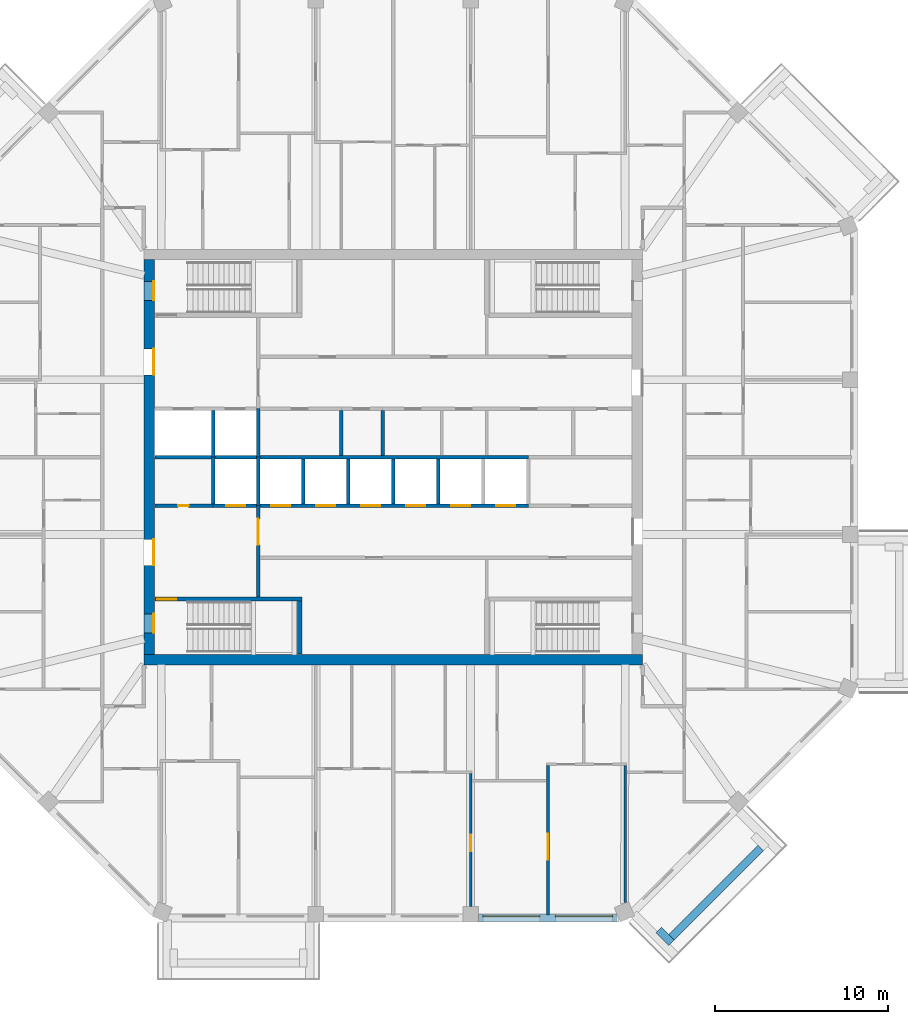
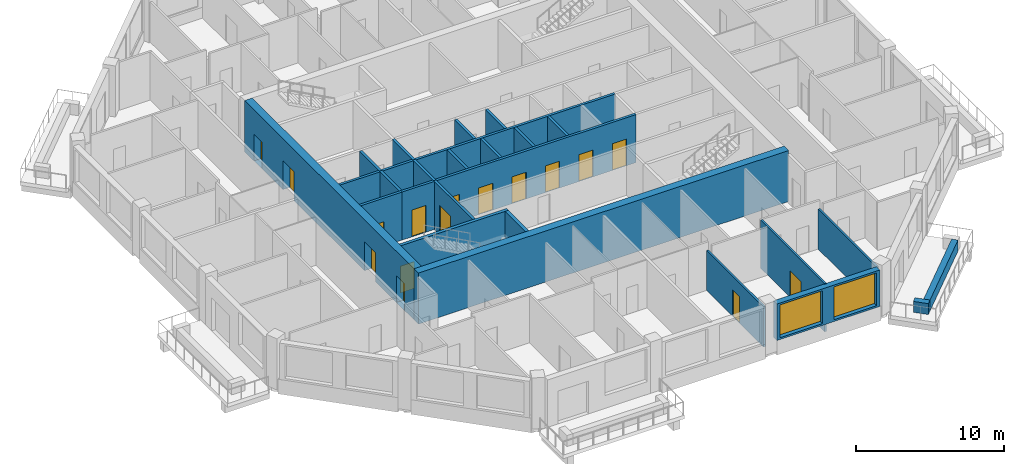
# One storey, part 4 of 11: 24 walls, 16 doors, 2 windows, 18 openings.
"""IFC4 building model written with IfcOpenShell, lengths in metres."""

from ifc_helpers import new_model, si_unit, direction, frame, frame_2d, origin, place, context, subcontext, project, spatial, rectangle, extrude, material, layer, layer_set, type_object, element, fill, save


model = new_model("IFC4")

# Units and contexts
model_context = context("Model", 3, precision=1e-05, world=origin(), true_north=direction((0.0, 1.0)))
body_context = subcontext(model_context, "Body", "Model", "MODEL_VIEW")
ifc_project = project(units=[si_unit("LENGTHUNIT", "METRE"), si_unit("AREAUNIT", "SQUARE_METRE"), si_unit("VOLUMEUNIT", "CUBIC_METRE"), si_unit("PLANEANGLEUNIT", "RADIAN"), si_unit("MASSUNIT", "GRAM", prefix="KILO")], contexts=[model_context])

# Site, building, storey
site_placement = place(None, origin())
site = spatial("IfcSite", under=ifc_project, at=site_placement, CompositionType="ELEMENT")
building_placement = place(site_placement, origin())
building = spatial("IfcBuilding", under=site, at=building_placement, Name="Msitu Wima Residences", CompositionType="ELEMENT")
storey_placement = place(building_placement, frame((0.0, 0.0, 226.5)))
storey = spatial("IfcBuildingStorey", under=building, at=storey_placement, Name="L52", CompositionType="ELEMENT", Elevation=226.5)

# Walls
ifc_material_1 = material(Name="Facing brick")
ifc_layer_1 = layer(ifc_material_1, 0.06494140625, Name="Facing brick")
ifc_material_2 = material(Name="Concrete C40/50", Category="concrete")
ifc_layer_2 = layer(ifc_material_2, 0.156005859375, Name="Concrete C40/50")
ifc_material_3 = material(Name="Waterproofing membrane")
ifc_layer_3 = layer(ifc_material_3, 0.00390625, Name="Waterproofing membrane")
ifc_material_4 = material(Name="Planting soil and planting")
ifc_layer_4 = layer(ifc_material_4, 0.22509765625, Name="Planting soil and planting")
ifc_layer_set_1 = layer_set([ifc_layer_1, ifc_layer_2, ifc_layer_3, ifc_layer_4], Name="Concrete C40/50")
wall_type_1 = type_object("IfcWallType", Name="Balcony planter PLANTER PL450", PredefinedType="USERDEFINED", material=ifc_layer_set_1)
wall_1_placement = place(storey_placement, frame((16.0751953125, -27.725830078125, 0.0), z_axis=(0.0, 0.0, 1.0), x_axis=(0.707106781187, 0.707106781187, 0.0)))
element("IfcWall", 1, at=wall_1_placement, inside=storey, type_object=wall_type_1, Name="Balcony planter SE0 L52", ObjectType="PLANTER", PredefinedType="USERDEFINED", context=body_context, shape_type="SweptSolid", body=[
    extrude(rectangle(XDim=7.288330078125, YDim=0.449951171875, at=frame_2d((3.64404296875, 0.0))), origin(), (0.0, 0.0, 1.0), 0.89990234375),
])
wall_2_placement = place(storey_placement, frame((15.332763671875, -27.301513671875, 0.0), z_axis=(0.0, 0.0, 1.0), x_axis=(0.707106781187, -0.707106781187, 0.0)))
element("IfcWall", 2, at=wall_2_placement, inside=storey, type_object=wall_type_1, Name="Balcony planter SE0 L52", ObjectType="PLANTER", PredefinedType="USERDEFINED", context=body_context, shape_type="SweptSolid", body=[
    extrude(rectangle(XDim=1.050048828125, YDim=0.449951171875, at=frame_2d((0.52490234375, 0.0))), origin(), (0.0, 0.0, 1.0), 0.89990234375),
])

# Wall, openings, windows
ifc_material_5 = material(Name="Brick (red buff mix)", Category="masonry")
ifc_layer_5 = layer(ifc_material_5, 0.449951171875)
ifc_layer_set_2 = layer_set([ifc_layer_5], Name="Brick (red buff mix)")
wall_type_2 = type_object("IfcWallType", Name="Brick infill wall BW450", PredefinedType="SOLIDWALL", material=ifc_layer_set_2)
wall_3_placement = place(storey_placement, frame((4.918701171875, -26.625, 0.89990234375), z_axis=(0.0, 0.0, 1.0), x_axis=(1.0, 0.0, 0.0)))
wall_3 = element("IfcWall", 3, at=wall_3_placement, inside=storey, type_object=wall_type_2, Name="Brick infill wall L52 S2", PredefinedType="SOLIDWALL", context=body_context, shape_type="SweptSolid", body=[
    extrude(rectangle(XDim=8.0, YDim=0.449951171875, at=frame_2d((4.0, 0.0))), origin(), (0.0, 0.0, 1.0), 3.0),
])
opening_1_placement = place(wall_3_placement, frame((0.25, 0.0, 0.14990234375)))
opening_1 = element("IfcOpeningElement", 4, at=opening_1_placement, cuts=wall_3, Name="Opening W52-54.020", PredefinedType="OPENING", context=body_context, shape_type="SweptSolid", body=[
    extrude(rectangle(XDim=3.300048828125, YDim=2.699951171875, at=frame_2d((1.64990234375, 1.35009765625))), frame((0.0, 0.23486328125, 0.0), z_axis=(0.0, -1.0, 0.0), x_axis=(1.0, 0.0, 0.0)), (0.0, 0.0, 1.0), 0.469970703125),
])
opening_2_placement = place(wall_3_placement, frame((4.4501953125, 0.0, 0.14990234375)))
opening_2 = element("IfcOpeningElement", 5, at=opening_2_placement, cuts=wall_3, Name="Opening W52-54.021", PredefinedType="OPENING", context=body_context, shape_type="SweptSolid", body=[
    extrude(rectangle(XDim=3.300048828125, YDim=2.699951171875, at=frame_2d((1.64990234375, 1.35009765625))), frame((0.0, 0.23486328125, 0.0), z_axis=(0.0, -1.0, 0.0), x_axis=(1.0, 0.0, 0.0)), (0.0, 0.0, 1.0), 0.469970703125),
])
ifc_material_6 = material(Name="Anodised aluminium, bronze finish, clear low-emissivity double glazing", Category="aluminium")
window_type = type_object("IfcWindowType", Name="Window W3300x2700", PartitioningType="DOUBLE_PANEL_VERTICAL", PredefinedType="WINDOW", material=ifc_material_6)
window_1_placement = place(opening_1_placement, origin())
window_1 = element("IfcWindow", 6, at=window_1_placement, inside=storey, type_object=window_type, Name="Window L52 S2.1", OverallHeight=2.699951171875, OverallWidth=3.300048828125, PartitioningType="SINGLE_PANEL", PredefinedType="WINDOW", context=body_context, shape_type="SweptSolid", body=[
    extrude(rectangle(XDim=3.300048828125, YDim=2.699951171875, at=frame_2d((1.64990234375, 1.35009765625))), frame((0.0, 0.135009765625, 0.0), z_axis=(0.0, -1.0, 0.0), x_axis=(1.0, 0.0, 0.0)), (0.0, 0.0, 1.0), 0.06005859375),
])
fill(opening_1, window_1)
window_2_placement = place(opening_2_placement, origin())
window_2 = element("IfcWindow", 7, at=window_2_placement, inside=storey, type_object=window_type, Name="Window L52 S2.2", OverallHeight=2.699951171875, OverallWidth=3.300048828125, PartitioningType="SINGLE_PANEL", PredefinedType="WINDOW", context=body_context, shape_type="SweptSolid", body=[
    extrude(rectangle(XDim=3.300048828125, YDim=2.699951171875, at=frame_2d((1.64990234375, 1.35009765625))), frame((0.0, 0.135009765625, 0.0), z_axis=(0.0, -1.0, 0.0), x_axis=(1.0, 0.0, 0.0)), (0.0, 0.0, 1.0), 0.06005859375),
])
fill(opening_2, window_2)

# Wall
ifc_material_7 = material(Name="Concrete C50/60", Category="concrete")
ifc_layer_6 = layer(ifc_material_7, 0.60009765625)
ifc_layer_set_3 = layer_set([ifc_layer_6], Name="Concrete C50/60")
wall_type_3 = type_object("IfcWallType", Name="Core wall CW600 C50/60", PredefinedType="SHEAR", material=ifc_layer_set_3)
wall_4_placement = place(storey_placement, frame((-14.39990234375, -11.699951171875, 0.0), z_axis=(0.0, 0.0, 1.0), x_axis=(1.0, 0.0, 0.0)))
element("IfcWall", 8, at=wall_4_placement, inside=storey, type_object=wall_type_3, Name="Core wall", PredefinedType="SHEAR", context=body_context, shape_type="SweptSolid", body=[
    extrude(rectangle(XDim=28.7998046875, YDim=0.60009765625, at=frame_2d((14.39990234375, 0.0))), origin(), (0.0, 0.0, 1.0), 4.199951171875),
])

# Wall, openings, doors
wall_5_placement = place(storey_placement, frame((-14.10009765625, -11.39990234375, 0.0), z_axis=(0.0, 0.0, 1.0), x_axis=(0.0, 1.0, 0.0)))
wall_5 = element("IfcWall", 9, at=wall_5_placement, inside=storey, type_object=wall_type_3, Name="Core wall", PredefinedType="SHEAR", context=body_context, shape_type="SweptSolid", body=[
    extrude(rectangle(XDim=22.7998046875, YDim=0.60009765625, at=frame_2d((11.39990234375, 0.0))), origin(), (0.0, 0.0, 1.0), 4.199951171875),
])
opening_3_placement = place(wall_5_placement, frame((20.449951171875, 0.0, 0.0)))
opening_3 = element("IfcOpeningElement", 10, at=opening_3_placement, cuts=wall_5, Name="Opening D52-54.085", PredefinedType="OPENING", context=body_context, shape_type="SweptSolid", body=[
    extrude(rectangle(XDim=1.10009765625, YDim=2.199951171875, at=frame_2d((0.550048828125, 1.10009765625))), frame((0.0, 0.31005859375, 0.0), z_axis=(0.0, -1.0, 0.0), x_axis=(1.0, 0.0, 0.0)), (0.0, 0.0, 1.0), 0.6201171875),
])
opening_4_placement = place(wall_5_placement, frame((1.25, 0.0, 0.0)))
opening_4 = element("IfcOpeningElement", 11, at=opening_4_placement, cuts=wall_5, Name="Opening D52-54.087", PredefinedType="OPENING", context=body_context, shape_type="SweptSolid", body=[
    extrude(rectangle(XDim=1.10009765625, YDim=2.199951171875, at=frame_2d((0.550048828125, 1.10009765625))), frame((0.0, 0.31005859375, 0.0), z_axis=(0.0, -1.0, 0.0), x_axis=(1.0, 0.0, 0.0)), (0.0, 0.0, 1.0), 0.6201171875),
])
opening_5_placement = place(wall_5_placement, frame((16.14990234375, 0.0, 0.0)))
opening_5 = element("IfcOpeningElement", 12, at=opening_5_placement, cuts=wall_5, Name="Opening D52-54.067", PredefinedType="OPENING", context=body_context, shape_type="SweptSolid", body=[
    extrude(rectangle(XDim=1.5, YDim=2.39990234375, at=frame_2d((0.75, 1.199951171875))), frame((0.0, 0.31005859375, 0.0), z_axis=(0.0, -1.0, 0.0), x_axis=(1.0, 0.0, 0.0)), (0.0, 0.0, 1.0), 0.6201171875),
])
opening_6_placement = place(wall_5_placement, frame((5.14990234375, 0.0, 0.0)))
opening_6 = element("IfcOpeningElement", 13, at=opening_6_placement, cuts=wall_5, Name="Opening D52-54.069", PredefinedType="OPENING", context=body_context, shape_type="SweptSolid", body=[
    extrude(rectangle(XDim=1.5, YDim=2.39990234375, at=frame_2d((0.75, 1.199951171875))), frame((0.0, 0.31005859375, 0.0), z_axis=(0.0, -1.0, 0.0), x_axis=(1.0, 0.0, 0.0)), (0.0, 0.0, 1.0), 0.6201171875),
])
ifc_material_8 = material(Name="Steel framed glazed door, fire resisting", Category="steel")
door_type_1 = type_object("IfcDoorType", Name="Lobby door D07 1500x2400", OperationType="DOUBLE_DOOR_SINGLE_SWING", PredefinedType="DOOR", material=ifc_material_8)
door_1_placement = place(opening_5_placement, origin())
door_1 = element("IfcDoor", 14, at=door_1_placement, inside=storey, type_object=door_type_1, Name="Lobby door", OperationType="DOUBLE_DOOR_SINGLE_SWING", OverallHeight=2.39990234375, OverallWidth=1.5, PredefinedType="DOOR", context=body_context, shape_type="SweptSolid", body=[
    extrude(rectangle(XDim=1.5, YDim=2.39990234375, at=frame_2d((0.75, 1.199951171875))), frame((0.0, -0.2451171875, 0.0), z_axis=(0.0, -1.0, 0.0), x_axis=(1.0, 0.0, 0.0)), (0.0, 0.0, 1.0), 0.050048828125),
])
fill(opening_5, door_1)
door_2_placement = place(opening_6_placement, origin())
door_2 = element("IfcDoor", 15, at=door_2_placement, inside=storey, type_object=door_type_1, Name="Lobby door", OperationType="DOUBLE_DOOR_SINGLE_SWING", OverallHeight=2.39990234375, OverallWidth=1.5, PredefinedType="DOOR", context=body_context, shape_type="SweptSolid", body=[
    extrude(rectangle(XDim=1.5, YDim=2.39990234375, at=frame_2d((0.75, 1.199951171875))), frame((0.0, -0.2451171875, 0.0), z_axis=(0.0, -1.0, 0.0), x_axis=(1.0, 0.0, 0.0)), (0.0, 0.0, 1.0), 0.050048828125),
])
fill(opening_6, door_2)
ifc_material_9 = material(Name="Steel door, fire resisting, panic bar", Category="steel")
door_type_2 = type_object("IfcDoorType", Name="Stair door D06 1100x2200", OperationType="SINGLE_SWING_LEFT", PredefinedType="DOOR", material=ifc_material_9)
door_3_placement = place(opening_3_placement, origin())
door_3 = element("IfcDoor", 16, at=door_3_placement, inside=storey, type_object=door_type_2, Name="Stair door", OperationType="SINGLE_SWING_RIGHT", OverallHeight=2.199951171875, OverallWidth=1.10009765625, PredefinedType="DOOR", context=body_context, shape_type="SweptSolid", body=[
    extrude(rectangle(XDim=1.10009765625, YDim=2.199951171875, at=frame_2d((0.550048828125, 1.10009765625))), frame((0.0, -0.2451171875, 0.0), z_axis=(0.0, -1.0, 0.0), x_axis=(1.0, 0.0, 0.0)), (0.0, 0.0, 1.0), 0.050048828125),
])
fill(opening_3, door_3)
door_4_placement = place(opening_4_placement, origin())
door_4 = element("IfcDoor", 17, at=door_4_placement, inside=storey, type_object=door_type_2, Name="Stair door", OperationType="SINGLE_SWING_LEFT", OverallHeight=2.199951171875, OverallWidth=1.10009765625, PredefinedType="DOOR", context=body_context, shape_type="SweptSolid", body=[
    extrude(rectangle(XDim=1.10009765625, YDim=2.199951171875, at=frame_2d((0.550048828125, 1.10009765625))), frame((0.0, -0.2451171875, 0.0), z_axis=(0.0, -1.0, 0.0), x_axis=(1.0, 0.0, 0.0)), (0.0, 0.0, 1.0), 0.050048828125),
])
fill(opening_4, door_4)

# Wall, opening, door
ifc_material_10 = material(Name="Plaster")
ifc_layer_7 = layer(ifc_material_10, 0.011962890625, Name="Plaster")
ifc_material_11 = material(Name="Concrete blockwork", Category="masonry")
ifc_layer_8 = layer(ifc_material_11, 0.176025390625, Name="Concrete blockwork")
ifc_layer_9 = layer(ifc_material_10, 0.011962890625, Name="Plaster")
ifc_layer_set_4 = layer_set([ifc_layer_7, ifc_layer_8, ifc_layer_9], Name="Concrete blockwork")
wall_type_4 = type_object("IfcWallType", Name="Corridor wall FW200", PredefinedType="PARTITIONING", material=ifc_layer_set_4)
wall_6_placement = place(storey_placement, frame((-7.800048828125, -8.074951171875, 0.0), z_axis=(0.0, 0.0, 1.0), x_axis=(0.0, 1.0, 0.0)))
wall_6 = element("IfcWall", 18, at=wall_6_placement, inside=storey, type_object=wall_type_4, Name="Corridor wall", PredefinedType="PARTITIONING", context=body_context, shape_type="SweptSolid", body=[
    extrude(rectangle(XDim=5.27490234375, YDim=0.199951171875, at=frame_2d((2.637451171875, 0.0))), origin(), (0.0, 0.0, 1.0), 3.949951171875),
])
opening_7_placement = place(wall_6_placement, frame((3.0, 0.0, 0.0)))
opening_7 = element("IfcOpeningElement", 19, at=opening_7_placement, cuts=wall_6, Name="Opening D52-54.070", PredefinedType="OPENING", context=body_context, shape_type="SweptSolid", body=[
    extrude(rectangle(XDim=1.5, YDim=2.39990234375, at=frame_2d((0.75, 1.199951171875))), frame((0.0, 0.10986328125, 0.0), z_axis=(0.0, -1.0, 0.0), x_axis=(1.0, 0.0, 0.0)), (0.0, 0.0, 1.0), 0.219970703125),
])
door_5_placement = place(opening_7_placement, origin())
door_5 = element("IfcDoor", 20, at=door_5_placement, inside=storey, type_object=door_type_1, Name="Lobby door", OperationType="DOUBLE_DOOR_SINGLE_SWING", OverallHeight=2.39990234375, OverallWidth=1.5, PredefinedType="DOOR", context=body_context, shape_type="SweptSolid", body=[
    extrude(rectangle(XDim=1.5, YDim=2.39990234375, at=frame_2d((0.75, 1.199951171875))), frame((0.0, 0.02490234375, 0.0), z_axis=(0.0, -1.0, 0.0), x_axis=(1.0, 0.0, 0.0)), (0.0, 0.0, 1.0), 0.050048828125),
])
fill(opening_7, door_5)

ifc_layer_10 = layer(ifc_material_10, 0.011962890625, Name="Plaster")
ifc_layer_11 = layer(ifc_material_11, 0.1259765625, Name="Concrete blockwork")
ifc_layer_12 = layer(ifc_material_10, 0.011962890625, Name="Plaster")
ifc_layer_set_5 = layer_set([ifc_layer_10, ifc_layer_11, ifc_layer_12], Name="Concrete blockwork")
wall_type_5 = type_object("IfcWallType", Name="Partition PW150", PredefinedType="PARTITIONING", material=ifc_layer_set_5)
wall_7_placement = place(storey_placement, frame((4.46875, -25.949951171875, 0.0), z_axis=(0.0, 0.0, 1.0), x_axis=(0.0, 1.0, 0.0)))
wall_7 = element("IfcWall", 21, at=wall_7_placement, inside=storey, type_object=wall_type_5, Name="Partition", PredefinedType="PARTITIONING", context=body_context, shape_type="SweptSolid", body=[
    extrude(rectangle(XDim=7.675048828125, YDim=0.14990234375, at=frame_2d((3.83740234375, 0.0))), origin(), (0.0, 0.0, 1.0), 3.300048828125),
])
opening_8_placement = place(wall_7_placement, frame((3.199951171875, 0.0, 0.0)))
opening_8 = element("IfcOpeningElement", 22, at=opening_8_placement, cuts=wall_7, Name="Opening D52-54.054", PredefinedType="OPENING", context=body_context, shape_type="SweptSolid", body=[
    extrude(rectangle(XDim=0.949951171875, YDim=2.199951171875, at=frame_2d((0.47509765625, 1.10009765625))), frame((0.0, 0.0849609375, 0.0), z_axis=(0.0, -1.0, 0.0), x_axis=(1.0, 0.0, 0.0)), (0.0, 0.0, 1.0), 0.169921875),
])
ifc_material_12 = material(Name="Timber flush door", Category="wood")
door_type_3 = type_object("IfcDoorType", Name="Room door D12 950x2200", OperationType="SINGLE_SWING_LEFT", PredefinedType="DOOR", material=ifc_material_12)
door_6_placement = place(opening_8_placement, origin())
door_6 = element("IfcDoor", 23, at=door_6_placement, inside=storey, type_object=door_type_3, Name="Room door", OperationType="SINGLE_SWING_LEFT", OverallHeight=2.199951171875, OverallWidth=0.949951171875, PredefinedType="DOOR", context=body_context, shape_type="SweptSolid", body=[
    extrude(rectangle(XDim=0.949951171875, YDim=2.199951171875, at=frame_2d((0.47509765625, 1.10009765625))), frame((0.0, 0.02490234375, 0.0), z_axis=(0.0, -1.0, 0.0), x_axis=(1.0, 0.0, 0.0)), (0.0, 0.0, 1.0), 0.050048828125),
])
fill(opening_8, door_6)

wall_8_placement = place(storey_placement, frame((8.937255859375, -26.455078125, 0.0), z_axis=(0.0, 0.0, 1.0), x_axis=(0.0, 1.0, 0.0)))
wall_8 = element("IfcWall", 24, at=wall_8_placement, inside=storey, type_object=wall_type_5, Name="Partition", PredefinedType="PARTITIONING", context=body_context, shape_type="SweptSolid", body=[
    extrude(rectangle(XDim=8.630126953125, YDim=0.14990234375, at=frame_2d((4.31494140625, 0.0))), origin(), (0.0, 0.0, 1.0), 3.949951171875),
])
opening_9_placement = place(wall_8_placement, frame((3.199951171875, 0.0, 0.0)))
opening_9 = element("IfcOpeningElement", 25, at=opening_9_placement, cuts=wall_8, Name="Opening D52-54.062", PredefinedType="OPENING", context=body_context, shape_type="SweptSolid", body=[
    extrude(rectangle(XDim=1.5, YDim=2.199951171875, at=frame_2d((0.75, 1.10009765625))), frame((0.0, 0.0849609375, 0.0), z_axis=(0.0, -1.0, 0.0), x_axis=(1.0, 0.0, 0.0)), (0.0, 0.0, 1.0), 0.169921875),
])
ifc_material_13 = material(Name="Timber double door", Category="wood")
door_type_4 = type_object("IfcDoorType", Name="Double door D04 1500x2200", OperationType="DOUBLE_DOOR_SINGLE_SWING", PredefinedType="DOOR", material=ifc_material_13)
door_7_placement = place(opening_9_placement, origin())
door_7 = element("IfcDoor", 26, at=door_7_placement, inside=storey, type_object=door_type_4, Name="Double door", OperationType="DOUBLE_DOOR_SINGLE_SWING", OverallHeight=2.199951171875, OverallWidth=1.5, PredefinedType="DOOR", context=body_context, shape_type="SweptSolid", body=[
    extrude(rectangle(XDim=1.5, YDim=2.199951171875, at=frame_2d((0.75, 1.10009765625))), frame((0.0, 0.02490234375, 0.0), z_axis=(0.0, -1.0, 0.0), x_axis=(1.0, 0.0, 0.0)), (0.0, 0.0, 1.0), 0.050048828125),
])
fill(opening_9, door_7)

# Wall
wall_9_placement = place(storey_placement, frame((13.406005859375, -25.731201171875, 0.0), z_axis=(0.0, 0.0, 1.0), x_axis=(0.0, 1.0, 0.0)))
element("IfcWall", 27, at=wall_9_placement, inside=storey, type_object=wall_type_5, Name="Partition", PredefinedType="PARTITIONING", context=body_context, shape_type="SweptSolid", body=[
    extrude(rectangle(XDim=7.90625, YDim=0.14990234375, at=frame_2d((3.953125, 0.0))), origin(), (0.0, 0.0, 1.0), 3.300048828125),
])

# Wall, opening, door
ifc_layer_13 = layer(ifc_material_10, 0.011962890625, Name="Plaster")
ifc_material_14 = material(Name="Reinforced concrete blockwork", Category="masonry")
ifc_layer_14 = layer(ifc_material_14, 0.176025390625, Name="Reinforced concrete blockwork")
ifc_layer_15 = layer(ifc_material_10, 0.011962890625, Name="Plaster")
ifc_layer_set_6 = layer_set([ifc_layer_13, ifc_layer_14, ifc_layer_15], Name="Reinforced concrete blockwork")
wall_type_6 = type_object("IfcWallType", Name="Plant and riser wall PL200", PredefinedType="PARTITIONING", material=ifc_layer_set_6)
wall_10_placement = place(storey_placement, frame((-13.77001953125, -2.800048828125, 0.0), z_axis=(0.0, 0.0, 1.0), x_axis=(1.0, 0.0, 0.0)))
wall_10 = element("IfcWall", 28, at=wall_10_placement, inside=storey, type_object=wall_type_6, Name="Plant and riser wall", PredefinedType="PARTITIONING", context=body_context, shape_type="SweptSolid", body=[
    extrude(rectangle(XDim=3.3701171875, YDim=0.199951171875, at=frame_2d((1.68505859375, 0.0))), origin(), (0.0, 0.0, 1.0), 3.949951171875),
])
opening_10_placement = place(wall_10_placement, frame((1.35009765625, 0.0, 0.0)))
opening_10 = element("IfcOpeningElement", 29, at=opening_10_placement, cuts=wall_10, Name="Opening D52-54.084", PredefinedType="OPENING", context=body_context, shape_type="SweptSolid", body=[
    extrude(rectangle(XDim=0.60009765625, YDim=2.0, at=frame_2d((0.300048828125, 1.0))), frame((0.0, 0.10986328125, 0.0), z_axis=(0.0, -1.0, 0.0), x_axis=(1.0, 0.0, 0.0)), (0.0, 0.0, 1.0), 0.219970703125),
])
ifc_material_15 = material(Name="Steel access door, fire resisting", Category="steel")
door_type_5 = type_object("IfcDoorType", Name="Riser access door D08 600x2000", OperationType="SINGLE_SWING_LEFT", PredefinedType="DOOR", material=ifc_material_15)
door_8_placement = place(opening_10_placement, origin())
door_8 = element("IfcDoor", 30, at=door_8_placement, inside=storey, type_object=door_type_5, Name="Riser access door", OperationType="SINGLE_SWING_RIGHT", OverallHeight=2.0, OverallWidth=0.60009765625, PredefinedType="DOOR", context=body_context, shape_type="SweptSolid", body=[
    extrude(rectangle(XDim=0.60009765625, YDim=2.0, at=frame_2d((0.300048828125, 1.0))), frame((0.0, 0.02490234375, 0.0), z_axis=(0.0, -1.0, 0.0), x_axis=(1.0, 0.0, 0.0)), (0.0, 0.0, 1.0), 0.050048828125),
])
fill(opening_10, door_8)

# Walls
for number, where, z_axis, x_axis, name in (
    (31, (-3.0, 0.10009765625, 0.0), (0.0, 0.0, 1.0), (0.0, 1.0, 0.0), "Plant and riser wall"),
    (32, (-0.60009765625, 0.10009765625, 0.0), (0.0, 0.0, 1.0), (0.0, 1.0, 0.0), "Plant and riser wall"),
):
    element("IfcWall", number, at=place(storey_placement, frame(where, z_axis=z_axis, x_axis=x_axis)), inside=storey, type_object=wall_type_6, Name=name, PredefinedType="PARTITIONING", context=body_context, shape_type="SweptSolid", body=[
        extrude(rectangle(XDim=2.599853515625, YDim=0.199951171875, at=frame_2d((1.2998046875, 0.0))), origin(), (0.0, 0.0, 1.0), 3.949951171875),
    ])
ifc_material_16 = material(Name="Fire-rated board")
ifc_layer_16 = layer(ifc_material_16, 0.02490234375, Name="Fire-rated board")
ifc_material_17 = material(Name="Light-gauge stud framing with mineral wool")
ifc_layer_17 = layer(ifc_material_17, 0.14990234375, Name="Light-gauge stud framing with mineral wool")
ifc_layer_18 = layer(ifc_material_16, 0.02490234375, Name="Fire-rated board")
ifc_layer_set_7 = layer_set([ifc_layer_16, ifc_layer_17, ifc_layer_18], Name="Light-gauge stud framing with mineral wool")
wall_type_7 = type_object("IfcWallType", Name="Shaft wall SH200", PredefinedType="PARTITIONING", material=ifc_layer_set_7)
wall_11_placement = place(storey_placement, frame((-13.77001953125, 0.0, 0.0), z_axis=(0.0, 0.0, 1.0), x_axis=(1.0, 0.0, 0.0)))
element("IfcWall", 33, at=wall_11_placement, inside=storey, type_object=wall_type_7, Name="Shaft wall", PredefinedType="PARTITIONING", context=body_context, shape_type="SweptSolid", body=[
    extrude(rectangle(XDim=21.570068359375, YDim=0.199951171875, at=frame_2d((10.78515625, 0.0))), origin(), (0.0, 0.0, 1.0), 3.949951171875),
])
wall_12_placement = place(storey_placement, frame((-10.39990234375, -2.699951171875, 0.0), z_axis=(0.0, 0.0, 1.0), x_axis=(0.0, 1.0, 0.0)))
element("IfcWall", 34, at=wall_12_placement, inside=storey, type_object=wall_type_7, Name="Shaft wall", PredefinedType="PARTITIONING", context=body_context, shape_type="SweptSolid", body=[
    extrude(rectangle(XDim=2.699951171875, YDim=0.199951171875, at=frame_2d((1.35009765625, 0.0))), origin(), (0.0, 0.0, 1.0), 3.949951171875),
])

# Wall, openings, doors
wall_13_placement = place(storey_placement, frame((-10.39990234375, -2.800048828125, 0.0), z_axis=(0.0, 0.0, 1.0), x_axis=(1.0, 0.0, 0.0)))
wall_13 = element("IfcWall", 35, at=wall_13_placement, inside=storey, type_object=wall_type_7, Name="Shaft wall", PredefinedType="PARTITIONING", context=body_context, shape_type="SweptSolid", body=[
    extrude(rectangle(XDim=18.199951171875, YDim=0.199951171875, at=frame_2d((9.10009765625, 0.0))), origin(), (0.0, 0.0, 1.0), 3.949951171875),
])
opening_11_placement = place(wall_13_placement, frame((0.75, 0.0, 0.0)))
opening_11 = element("IfcOpeningElement", 36, at=opening_11_placement, cuts=wall_13, Name="Opening LD", PredefinedType="OPENING", context=body_context, shape_type="SweptSolid", body=[
    extrude(rectangle(XDim=1.10009765625, YDim=2.199951171875, at=frame_2d((0.550048828125, 1.10009765625))), frame((0.0, 0.10986328125, 0.0), z_axis=(0.0, -1.0, 0.0), x_axis=(1.0, 0.0, 0.0)), (0.0, 0.0, 1.0), 0.219970703125),
])
opening_12_placement = place(wall_13_placement, frame((3.35009765625, 0.0, 0.0)))
opening_12 = element("IfcOpeningElement", 37, at=opening_12_placement, cuts=wall_13, Name="Opening LD", PredefinedType="OPENING", context=body_context, shape_type="SweptSolid", body=[
    extrude(rectangle(XDim=1.10009765625, YDim=2.199951171875, at=frame_2d((0.550048828125, 1.10009765625))), frame((0.0, 0.10986328125, 0.0), z_axis=(0.0, -1.0, 0.0), x_axis=(1.0, 0.0, 0.0)), (0.0, 0.0, 1.0), 0.219970703125),
])
opening_13_placement = place(wall_13_placement, frame((5.949951171875, 0.0, 0.0)))
opening_13 = element("IfcOpeningElement", 38, at=opening_13_placement, cuts=wall_13, Name="Opening LD", PredefinedType="OPENING", context=body_context, shape_type="SweptSolid", body=[
    extrude(rectangle(XDim=1.10009765625, YDim=2.199951171875, at=frame_2d((0.550048828125, 1.10009765625))), frame((0.0, 0.10986328125, 0.0), z_axis=(0.0, -1.0, 0.0), x_axis=(1.0, 0.0, 0.0)), (0.0, 0.0, 1.0), 0.219970703125),
])
opening_14_placement = place(wall_13_placement, frame((8.550048828125, 0.0, 0.0)))
opening_14 = element("IfcOpeningElement", 39, at=opening_14_placement, cuts=wall_13, Name="Opening LD", PredefinedType="OPENING", context=body_context, shape_type="SweptSolid", body=[
    extrude(rectangle(XDim=1.10009765625, YDim=2.199951171875, at=frame_2d((0.550048828125, 1.10009765625))), frame((0.0, 0.10986328125, 0.0), z_axis=(0.0, -1.0, 0.0), x_axis=(1.0, 0.0, 0.0)), (0.0, 0.0, 1.0), 0.219970703125),
])
opening_15_placement = place(wall_13_placement, frame((11.14990234375, 0.0, 0.0)))
opening_15 = element("IfcOpeningElement", 40, at=opening_15_placement, cuts=wall_13, Name="Opening LD", PredefinedType="OPENING", context=body_context, shape_type="SweptSolid", body=[
    extrude(rectangle(XDim=1.10009765625, YDim=2.199951171875, at=frame_2d((0.550048828125, 1.10009765625))), frame((0.0, 0.10986328125, 0.0), z_axis=(0.0, -1.0, 0.0), x_axis=(1.0, 0.0, 0.0)), (0.0, 0.0, 1.0), 0.219970703125),
])
opening_16_placement = place(wall_13_placement, frame((13.75, 0.0, 0.0)))
opening_16 = element("IfcOpeningElement", 41, at=opening_16_placement, cuts=wall_13, Name="Opening LD", PredefinedType="OPENING", context=body_context, shape_type="SweptSolid", body=[
    extrude(rectangle(XDim=1.10009765625, YDim=2.199951171875, at=frame_2d((0.550048828125, 1.10009765625))), frame((0.0, 0.10986328125, 0.0), z_axis=(0.0, -1.0, 0.0), x_axis=(1.0, 0.0, 0.0)), (0.0, 0.0, 1.0), 0.219970703125),
])
opening_17_placement = place(wall_13_placement, frame((16.35009765625, 0.0, 0.0)))
opening_17 = element("IfcOpeningElement", 42, at=opening_17_placement, cuts=wall_13, Name="Opening LD", PredefinedType="OPENING", context=body_context, shape_type="SweptSolid", body=[
    extrude(rectangle(XDim=1.10009765625, YDim=2.199951171875, at=frame_2d((0.550048828125, 1.10009765625))), frame((0.0, 0.10986328125, 0.0), z_axis=(0.0, -1.0, 0.0), x_axis=(1.0, 0.0, 0.0)), (0.0, 0.0, 1.0), 0.219970703125),
])
ifc_material_18 = material(Name="Stainless steel centre-opening landing door, rated", Category="steel")
door_type_6 = type_object("IfcDoorType", Name="Lift landing door LD 1100x2200", OperationType="DOUBLE_DOOR_SLIDING", PredefinedType="DOOR", material=ifc_material_18)
door_9_placement = place(opening_11_placement, origin())
door_9 = element("IfcDoor", 43, at=door_9_placement, inside=storey, type_object=door_type_6, Name="Lift landing door LD3", OperationType="DOUBLE_DOOR_SLIDING", OverallHeight=2.199951171875, OverallWidth=1.10009765625, PredefinedType="DOOR", context=body_context, shape_type="SweptSolid", body=[
    extrude(rectangle(XDim=1.10009765625, YDim=2.199951171875, at=frame_2d((0.550048828125, 1.10009765625))), frame((0.0, 0.02490234375, 0.0), z_axis=(0.0, -1.0, 0.0), x_axis=(1.0, 0.0, 0.0)), (0.0, 0.0, 1.0), 0.050048828125),
])
fill(opening_11, door_9)
door_10_placement = place(opening_12_placement, origin())
door_10 = element("IfcDoor", 44, at=door_10_placement, inside=storey, type_object=door_type_6, Name="Lift landing door LD5", OperationType="DOUBLE_DOOR_SLIDING", OverallHeight=2.199951171875, OverallWidth=1.10009765625, PredefinedType="DOOR", context=body_context, shape_type="SweptSolid", body=[
    extrude(rectangle(XDim=1.10009765625, YDim=2.199951171875, at=frame_2d((0.550048828125, 1.10009765625))), frame((0.0, 0.02490234375, 0.0), z_axis=(0.0, -1.0, 0.0), x_axis=(1.0, 0.0, 0.0)), (0.0, 0.0, 1.0), 0.050048828125),
])
fill(opening_12, door_10)
door_11_placement = place(opening_13_placement, origin())
door_11 = element("IfcDoor", 45, at=door_11_placement, inside=storey, type_object=door_type_6, Name="Lift landing door LD7", OperationType="DOUBLE_DOOR_SLIDING", OverallHeight=2.199951171875, OverallWidth=1.10009765625, PredefinedType="DOOR", context=body_context, shape_type="SweptSolid", body=[
    extrude(rectangle(XDim=1.10009765625, YDim=2.199951171875, at=frame_2d((0.550048828125, 1.10009765625))), frame((0.0, 0.02490234375, 0.0), z_axis=(0.0, -1.0, 0.0), x_axis=(1.0, 0.0, 0.0)), (0.0, 0.0, 1.0), 0.050048828125),
])
fill(opening_13, door_11)
door_12_placement = place(opening_14_placement, origin())
door_12 = element("IfcDoor", 46, at=door_12_placement, inside=storey, type_object=door_type_6, Name="Lift landing door LD9", OperationType="DOUBLE_DOOR_SLIDING", OverallHeight=2.199951171875, OverallWidth=1.10009765625, PredefinedType="DOOR", context=body_context, shape_type="SweptSolid", body=[
    extrude(rectangle(XDim=1.10009765625, YDim=2.199951171875, at=frame_2d((0.550048828125, 1.10009765625))), frame((0.0, 0.02490234375, 0.0), z_axis=(0.0, -1.0, 0.0), x_axis=(1.0, 0.0, 0.0)), (0.0, 0.0, 1.0), 0.050048828125),
])
fill(opening_14, door_12)
door_13_placement = place(opening_15_placement, origin())
door_13 = element("IfcDoor", 47, at=door_13_placement, inside=storey, type_object=door_type_6, Name="Lift landing door LD11", OperationType="DOUBLE_DOOR_SLIDING", OverallHeight=2.199951171875, OverallWidth=1.10009765625, PredefinedType="DOOR", context=body_context, shape_type="SweptSolid", body=[
    extrude(rectangle(XDim=1.10009765625, YDim=2.199951171875, at=frame_2d((0.550048828125, 1.10009765625))), frame((0.0, 0.02490234375, 0.0), z_axis=(0.0, -1.0, 0.0), x_axis=(1.0, 0.0, 0.0)), (0.0, 0.0, 1.0), 0.050048828125),
])
fill(opening_15, door_13)
door_14_placement = place(opening_16_placement, origin())
door_14 = element("IfcDoor", 48, at=door_14_placement, inside=storey, type_object=door_type_6, Name="Lift landing door LD13", OperationType="DOUBLE_DOOR_SLIDING", OverallHeight=2.199951171875, OverallWidth=1.10009765625, PredefinedType="DOOR", context=body_context, shape_type="SweptSolid", body=[
    extrude(rectangle(XDim=1.10009765625, YDim=2.199951171875, at=frame_2d((0.550048828125, 1.10009765625))), frame((0.0, 0.02490234375, 0.0), z_axis=(0.0, -1.0, 0.0), x_axis=(1.0, 0.0, 0.0)), (0.0, 0.0, 1.0), 0.050048828125),
])
fill(opening_16, door_14)
door_15_placement = place(opening_17_placement, origin())
door_15 = element("IfcDoor", 49, at=door_15_placement, inside=storey, type_object=door_type_6, Name="Lift landing door LD15", OperationType="DOUBLE_DOOR_SLIDING", OverallHeight=2.199951171875, OverallWidth=1.10009765625, PredefinedType="DOOR", context=body_context, shape_type="SweptSolid", body=[
    extrude(rectangle(XDim=1.10009765625, YDim=2.199951171875, at=frame_2d((0.550048828125, 1.10009765625))), frame((0.0, 0.02490234375, 0.0), z_axis=(0.0, -1.0, 0.0), x_axis=(1.0, 0.0, 0.0)), (0.0, 0.0, 1.0), 0.050048828125),
])
fill(opening_17, door_15)

# Walls
wall_14_placement = place(storey_placement, frame((-10.39990234375, 0.0, 0.0), z_axis=(0.0, 0.0, 1.0), x_axis=(0.0, 1.0, 0.0)))
element("IfcWall", 50, at=wall_14_placement, inside=storey, type_object=wall_type_7, Name="Shaft wall", PredefinedType="PARTITIONING", context=body_context, shape_type="SweptSolid", body=[
    extrude(rectangle(XDim=2.699951171875, YDim=0.199951171875, at=frame_2d((1.35009765625, 0.0))), origin(), (0.0, 0.0, 1.0), 3.949951171875),
])
for number, where, z_axis, x_axis, name in (
    (51, (-7.800048828125, -2.800048828125, 0.0), (0.0, 0.0, 1.0), (0.0, 1.0, 0.0), "Shaft wall"),
    (52, (-7.800048828125, 0.0, 0.0), (0.0, 0.0, 1.0), (0.0, 1.0, 0.0), "Shaft wall"),
):
    element("IfcWall", number, at=place(storey_placement, frame(where, z_axis=z_axis, x_axis=x_axis)), inside=storey, type_object=wall_type_7, Name=name, PredefinedType="PARTITIONING", context=body_context, shape_type="SweptSolid", body=[
        extrude(rectangle(XDim=2.800048828125, YDim=0.199951171875, at=frame_2d((1.39990234375, 0.0))), origin(), (0.0, 0.0, 1.0), 3.949951171875),
    ])
for number, where, z_axis, x_axis, name in (
    (53, (-5.199951171875, -2.699951171875, 0.0), (0.0, 0.0, 1.0), (0.0, 1.0, 0.0), "Shaft wall"),
    (54, (-2.60009765625, -2.699951171875, 0.0), (0.0, 0.0, 1.0), (0.0, 1.0, 0.0), "Shaft wall"),
    (55, (0.0, -2.699951171875, 0.0), (0.0, 0.0, 1.0), (0.0, 1.0, 0.0), "Shaft wall"),
    (56, (2.60009765625, -2.699951171875, 0.0), (0.0, 0.0, 1.0), (0.0, 1.0, 0.0), "Shaft wall"),
):
    element("IfcWall", number, at=place(storey_placement, frame(where, z_axis=z_axis, x_axis=x_axis)), inside=storey, type_object=wall_type_7, Name=name, PredefinedType="PARTITIONING", context=body_context, shape_type="SweptSolid", body=[
        extrude(rectangle(XDim=2.599853515625, YDim=0.199951171875, at=frame_2d((1.2998046875, 0.0))), origin(), (0.0, 0.0, 1.0), 3.949951171875),
    ])

# Wall, opening, door
ifc_layer_19 = layer(ifc_material_7, 0.25)
ifc_layer_set_8 = layer_set([ifc_layer_19], Name="Concrete C50/60")
wall_type_8 = type_object("IfcWallType", Name="Stair enclosure wall SW250", PredefinedType="SHEAR", material=ifc_layer_set_8)
wall_15_placement = place(storey_placement, frame((-13.77001953125, -8.199951171875, 0.0), z_axis=(0.0, 0.0, 1.0), x_axis=(1.0, 0.0, 0.0)))
wall_15 = element("IfcWall", 57, at=wall_15_placement, inside=storey, type_object=wall_type_8, Name="Stair enclosure wall", PredefinedType="SHEAR", context=body_context, shape_type="SweptSolid", body=[
    extrude(rectangle(XDim=8.4951171875, YDim=0.25, at=frame_2d((4.24755859375, 0.0))), origin(), (0.0, 0.0, 1.0), 3.949951171875),
])
opening_18_placement = place(wall_15_placement, frame((0.14990234375, 0.0, 0.0)))
opening_18 = element("IfcOpeningElement", 58, at=opening_18_placement, cuts=wall_15, Name="Opening D52-54.088", PredefinedType="OPENING", context=body_context, shape_type="SweptSolid", body=[
    extrude(rectangle(XDim=1.10009765625, YDim=2.199951171875, at=frame_2d((0.550048828125, 1.10009765625))), frame((0.0, 0.135009765625, 0.0), z_axis=(0.0, -1.0, 0.0), x_axis=(1.0, 0.0, 0.0)), (0.0, 0.0, 1.0), 0.27001953125),
])
door_16_placement = place(opening_18_placement, origin())
door_16 = element("IfcDoor", 59, at=door_16_placement, inside=storey, type_object=door_type_2, Name="Stair door", OperationType="SINGLE_SWING_RIGHT", OverallHeight=2.199951171875, OverallWidth=1.10009765625, PredefinedType="DOOR", context=body_context, shape_type="SweptSolid", body=[
    extrude(rectangle(XDim=1.10009765625, YDim=2.199951171875, at=frame_2d((0.550048828125, 1.10009765625))), frame((0.0, 0.02490234375, 0.0), z_axis=(0.0, -1.0, 0.0), x_axis=(1.0, 0.0, 0.0)), (0.0, 0.0, 1.0), 0.050048828125),
])
fill(opening_18, door_16)

# Wall
wall_16_placement = place(storey_placement, frame((-5.39990234375, -11.3701171875, 0.0), z_axis=(0.0, 0.0, 1.0), x_axis=(0.0, 1.0, 0.0)))
element("IfcWall", 60, at=wall_16_placement, inside=storey, type_object=wall_type_8, Name="Stair enclosure wall", PredefinedType="SHEAR", context=body_context, shape_type="SweptSolid", body=[
    extrude(rectangle(XDim=3.045166015625, YDim=0.25, at=frame_2d((1.5224609375, 0.0))), origin(), (0.0, 0.0, 1.0), 3.949951171875),
])

save(model, "model.ifc")
